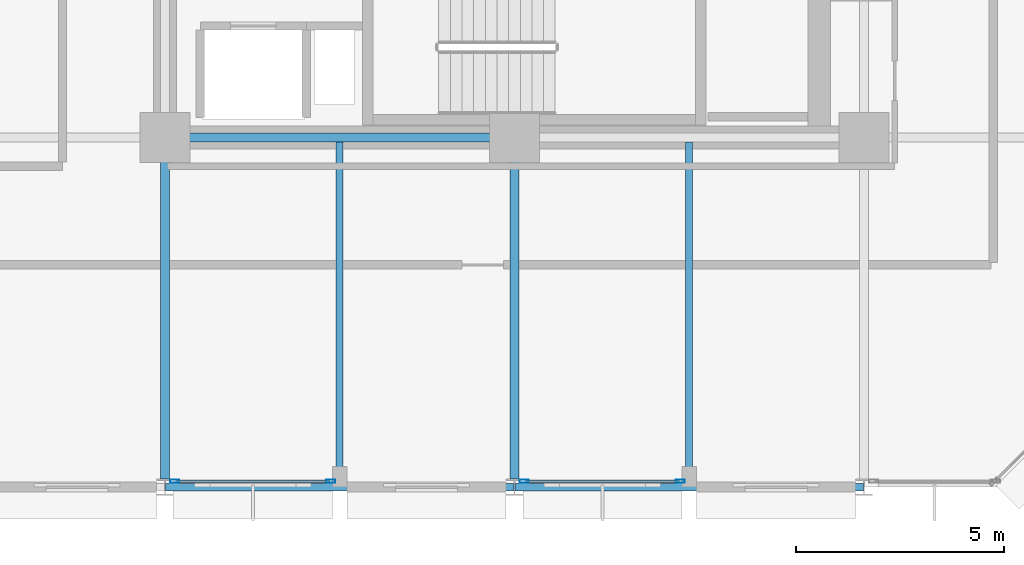
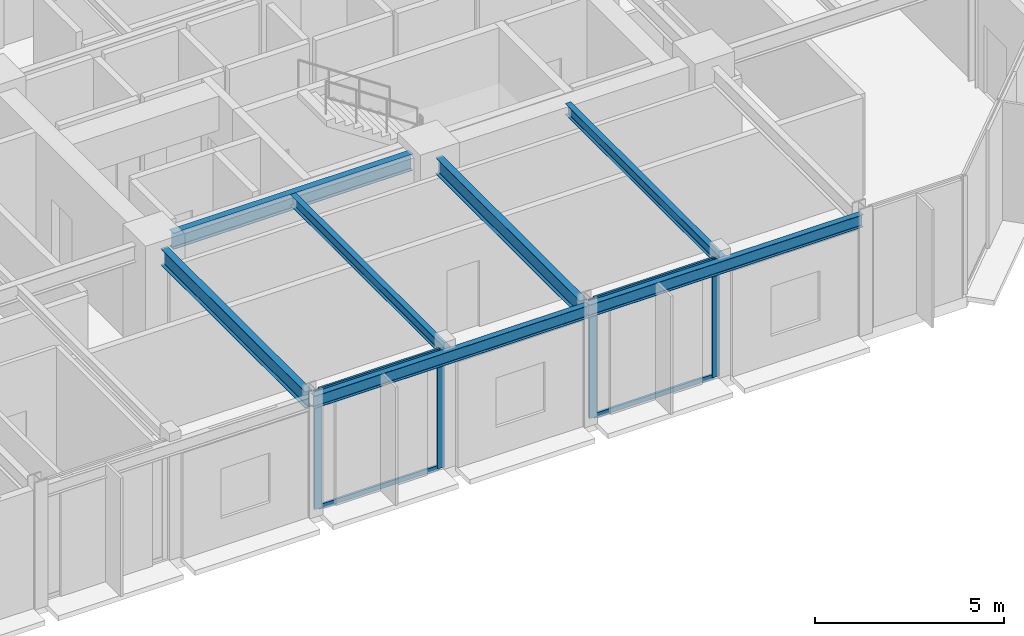
# One storey, part 4 of 25: 8 members, 7 beams, 2 elements without a shape of their own.
"""IFC4 building model written with IfcOpenShell, lengths in metres."""

import ifcopenshell
import ifcopenshell.guid

model = None  # the IFC model being written
_history = None  # IfcOwnerHistory: only IFC2X3 demands one
_inside = {}  # id of a spatial element -> (the spatial element, [elements in it])
_under = {}  # id of a project, library or spatial element -> (it, [spatial elements below it])
_declared = {}  # id of a project -> (the project, [libraries it declares])
_typed = {}  # id of a type object -> (the type object, [elements of that type])
_made_of = {}  # id of a material, layer set ... -> (it, [elements and type objects made of it])


def new_model(schema):
    """Start an empty IFC model of exactly this schema.

    Asked for "IFC4X3", IfcOpenShell would pick the latest addendum, in which some entities
    have other attributes; the version numbers below select the first issue.
    IFC2X3 requires an IfcOwnerHistory on every rooted entity: one is made here for all.
    """
    global model, _history
    if schema == "IFC4X3":
        model = ifcopenshell.file(schema_version=(4, 3, 0, 0))
    else:
        model = ifcopenshell.file(schema=schema)
    _inside.clear()
    _under.clear()
    _declared.clear()
    _typed.clear()
    _made_of.clear()
    _history = None
    if model.schema == "IFC2X3":
        org = make("IfcOrganization", Name="unknown")
        user = make(
            "IfcPersonAndOrganization",
            ThePerson=make("IfcPerson", FamilyName="unknown"),
            TheOrganization=org,
        )
        app = make(
            "IfcApplication",
            ApplicationDeveloper=org,
            Version="unknown",
            ApplicationFullName="unknown",
            ApplicationIdentifier="unknown",
        )
        _history = make(
            "IfcOwnerHistory",
            OwningUser=user,
            OwningApplication=app,
            ChangeAction="ADDED",
            CreationDate=0,
        )
    return model


def make(cls, **values):
    """One entity of the class cls with the attributes given. An attribute that is None is left unset."""
    return model.create_entity(
        cls, **{name: value for name, value in values.items() if value is not None}
    )


def rooted(cls, **values):
    """An entity with a GlobalId (a new one), such as an element, a storey or a relation."""
    return make(cls, GlobalId=ifcopenshell.guid.new(), OwnerHistory=_history, **values)


def si_unit(unit_type, name, prefix=None):
    """IfcSIUnit, for example si_unit("LENGTHUNIT", "METRE", prefix="MILLI")."""
    return make("IfcSIUnit", UnitType=unit_type, Prefix=prefix, Name=name)


def assignment(units):
    """IfcUnitAssignment: the units of a project."""
    return None if units is None else make("IfcUnitAssignment", Units=units)


def point(xyz):
    """IfcCartesianPoint."""
    return None if xyz is None else make("IfcCartesianPoint", Coordinates=xyz)


def direction(xyz):
    """IfcDirection."""
    return None if xyz is None else make("IfcDirection", DirectionRatios=xyz)


def frame(location, z_axis=None, x_axis=None):
    """IfcAxis2Placement3D, a coordinate frame: its origin and axes. An axis left out is left unset."""
    return make(
        "IfcAxis2Placement3D",
        Location=point(location),
        Axis=direction(z_axis),
        RefDirection=direction(x_axis),
    )


def frame_2d(location, x_axis=None):
    """IfcAxis2Placement2D, a coordinate frame in the plane: its origin and x axis."""
    return make(
        "IfcAxis2Placement2D", Location=point(location), RefDirection=direction(x_axis)
    )


def origin():
    """The frame at (0, 0, 0) with its axes left unset."""
    return frame((0.0, 0.0, 0.0))


def origin_2d():
    """The frame at (0, 0) in the plane with its x axis left unset."""
    return frame_2d((0.0, 0.0))


def place(relative_to, where):
    """IfcLocalPlacement: puts the frame where relative to a parent placement (None: the world)."""
    return make(
        "IfcLocalPlacement", PlacementRelTo=relative_to, RelativePlacement=where
    )


def context(
    kind, dimensions, precision=None, world=None, true_north=None, identifier=None
):
    """IfcGeometricRepresentationContext, for example the 3D "Model" context."""
    return make(
        "IfcGeometricRepresentationContext",
        ContextIdentifier=identifier,
        ContextType=kind,
        CoordinateSpaceDimension=dimensions,
        Precision=precision,
        WorldCoordinateSystem=world,
        TrueNorth=true_north,
    )


def subcontext(parent, identifier, kind, view, scale=None):
    """IfcGeometricRepresentationSubContext, for example "Body" below "Model"."""
    return make(
        "IfcGeometricRepresentationSubContext",
        ContextIdentifier=identifier,
        ContextType=kind,
        ParentContext=parent,
        TargetScale=scale,
        TargetView=view,
    )


def project(units=None, contexts=None):
    """IfcProject with its units and contexts."""
    return rooted(
        "IfcProject",
        Name="project",
        RepresentationContexts=contexts,
        UnitsInContext=assignment(units),
    )


def spatial(cls, under=None, at=None, **own):
    """A site, building, storey or space (cls), placed at a placement, below another one or the project."""
    s = rooted(cls, ObjectPlacement=at, **own)
    if under is not None:
        _under.setdefault(under.id(), (under, []))[1].append(s)
    return s


def profile(cls, at=None, kind="AREA", **sizes):
    """A parametric profile (cls). Its sizes go by their IFC names, for example OverallWidth=200.0."""
    return make(cls, ProfileType=kind, Position=at, **sizes)


def hollow_rectangle(**sizes):
    """IfcRectangleHollowProfileDef."""
    return profile("IfcRectangleHollowProfileDef", **sizes)


def i_section(**sizes):
    """IfcIShapeProfileDef."""
    return profile("IfcIShapeProfileDef", **sizes)


def extrude(swept, where, along, depth):
    """IfcExtrudedAreaSolid: the profile swept, set in the frame where, extruded along a direction by depth."""
    return make(
        "IfcExtrudedAreaSolid",
        SweptArea=swept,
        Position=where,
        ExtrudedDirection=direction(along),
        Depth=depth,
    )


def shape(context_of_items, identifier, shape_type, items):
    """IfcShapeRepresentation: the items that make up one representation, for example the "Body"."""
    return make(
        "IfcShapeRepresentation",
        ContextOfItems=context_of_items,
        RepresentationIdentifier=identifier,
        RepresentationType=shape_type,
        Items=items,
    )


def material(Name=None, Category=None):
    """IfcMaterial."""
    return make("IfcMaterial", Name=Name, Category=Category)


def layer(
    of_material, thickness, ventilated=None, Name=None, Category=None, Priority=None
):
    """IfcMaterialLayer: one layer of a wall or slab, of a material (None: an air gap)."""
    return make(
        "IfcMaterialLayer",
        Material=of_material,
        LayerThickness=thickness,
        IsVentilated=ventilated,
        Name=Name,
        Category=Category,
        Priority=Priority,
    )


def layer_set(layers, Name=None):
    """IfcMaterialLayerSet."""
    return make("IfcMaterialLayerSet", MaterialLayers=layers, LayerSetName=Name)


def material_profile(
    of_material, cross_section, Name=None, Category=None, Priority=None
):
    """IfcMaterialProfile: a cross section and its material."""
    return make(
        "IfcMaterialProfile",
        Name=Name,
        Material=of_material,
        Profile=cross_section,
        Priority=Priority,
        Category=Category,
    )


def profile_set(profiles, Name=None, composite=None):
    """IfcMaterialProfileSet."""
    return make(
        "IfcMaterialProfileSet",
        Name=Name,
        MaterialProfiles=profiles,
        CompositeProfile=composite,
    )


def made_of(thing, what):
    """Note that an element or type object is made of a material, layer set ...; save() writes the relation."""
    if what is not None:
        _made_of.setdefault(what.id(), (what, []))[1].append(thing)
    return thing


def type_object(cls, material=None, **own):
    """A type object (cls), such as IfcWallType, which elements share."""
    return made_of(rooted(cls, **own), material)


def element(
    cls,
    number,
    at=None,
    inside=None,
    cuts=None,
    type_object=None,
    material=None,
    context=None,
    identifier="Body",
    shape_type=None,
    held_by="IfcProductDefinitionShape",
    body=None,
    shapes=None,
    **own,
):
    """One element of the class cls, such as IfcWall. Its Tag is "e" and its number.

    at: its placement. inside: the storey or other place that contains it. cuts: it is an
    opening in that element (IfcRelVoidsElement). A single representation is given by context,
    identifier, shape_type and body (its items); several are given by shapes. held_by: the class
    of the entity that holds the representations. save() writes the other relations.
    """
    e = rooted(cls, Tag="e%d" % number, ObjectPlacement=at, **own)
    if body is not None:
        shapes = [shape(context, identifier, shape_type, body)]
    if shapes is not None:
        e.Representation = make(held_by, Representations=shapes)
    if inside is not None:
        _inside.setdefault(inside.id(), (inside, []))[1].append(e)
    if cuts is not None:
        rooted(
            "IfcRelVoidsElement", RelatingBuildingElement=cuts, RelatedOpeningElement=e
        )
    if type_object is not None:
        _typed.setdefault(type_object.id(), (type_object, []))[1].append(e)
    return made_of(e, material)


def aggregate(whole, parts):
    """IfcRelAggregates: a whole, such as a stair, and the parts it consists of."""
    return rooted("IfcRelAggregates", RelatingObject=whole, RelatedObjects=parts)


def save(model, path):
    """Write the relations noted so far, then the file.

    IfcRelAggregates (storeys below a building ...), IfcRelContainedInSpatialStructure (elements
    in a storey), IfcRelDefinesByType, IfcRelAssociatesMaterial and IfcRelDeclares: one each for
    every whole, place, type object, material and project.
    """
    for whole, parts in _under.values():
        aggregate(whole, parts)
    for where, things in _inside.values():
        rooted(
            "IfcRelContainedInSpatialStructure",
            RelatedElements=things,
            RelatingStructure=where,
        )
    for kind, things in _typed.values():
        rooted("IfcRelDefinesByType", RelatedObjects=things, RelatingType=kind)
    for what, things in _made_of.values():
        rooted("IfcRelAssociatesMaterial", RelatedObjects=things, RelatingMaterial=what)
    for by, libraries in _declared.values():
        rooted("IfcRelDeclares", RelatingContext=by, RelatedDefinitions=libraries)
    model.write(path)


model = new_model("IFC4")

# Units and contexts
model_context = context("Model", 3, precision=1e-05, world=origin(), true_north=direction((0.0, 1.0)))
body_context = subcontext(model_context, "Body", "Model", "MODEL_VIEW")
ifc_project = project(units=[si_unit("LENGTHUNIT", "METRE"), si_unit("AREAUNIT", "SQUARE_METRE"), si_unit("VOLUMEUNIT", "CUBIC_METRE"), si_unit("PLANEANGLEUNIT", "RADIAN"), si_unit("MASSUNIT", "GRAM", prefix="KILO")], contexts=[model_context])

# Site, building, storey
site_placement = place(None, origin())
site = spatial("IfcSite", under=ifc_project, at=site_placement, CompositionType="ELEMENT")
building_placement = place(site_placement, origin())
building = spatial("IfcBuilding", under=site, at=building_placement, Name="Nerrivon Quay Data Exchange", CompositionType="ELEMENT")
storey_placement = place(building_placement, frame((0.0, 0.0, 113.10009765625)))
storey = spatial("IfcBuildingStorey", under=building, at=storey_placement, Name="L26", CompositionType="ELEMENT", Elevation=113.10009765625)

# Beams
ifc_material_1 = material(Name="Steel Grade 350", Category="steel")
ifc_material_profile_1 = material_profile(ifc_material_1, i_section(OverallWidth=0.208984375, OverallDepth=0.532958984375, WebThickness=0.01025390625, FlangeThickness=0.015625, FilletRadius=0.013916015625, at=origin_2d()), Name="530UB92.4")
ifc_profile_set_1 = profile_set([ifc_material_profile_1], Name="Steel Grade 350")
beam_type_1 = type_object("IfcBeamType", Name="BM-G3-530UB92", PredefinedType="BEAM", material=ifc_profile_set_1)
beam_placement = place(storey_placement, frame((17.340087890625, 8.39990234375, 3.558349609375), z_axis=(1.0, 0.0, 0.0), x_axis=(0.0, 1.0, 0.0)))
element("IfcBeam", 1, at=beam_placement, inside=storey, type_object=beam_type_1, Name="L26 EW Girder Y=8.4 (16.8..25.2)", PredefinedType="BEAM", context=body_context, shape_type="SweptSolid", body=[
    extrude(i_section(OverallWidth=0.208984375, OverallDepth=0.532958984375, WebThickness=0.01025390625, FlangeThickness=0.015625, FilletRadius=0.013916015625, at=origin_2d()), origin(), (0.0, 0.0, 1.0), 7.31982421875),
])
ifc_material_profile_2 = material_profile(ifc_material_1, i_section(OverallWidth=0.208984375, OverallDepth=0.528076171875, WebThickness=0.009521484375, FlangeThickness=0.01318359375, FilletRadius=0.013916015625, at=origin_2d()), Name="530UB82.0")
ifc_profile_set_2 = profile_set([ifc_material_profile_2], Name="Steel Grade 350")
beam_type_2 = type_object("IfcBeamType", Name="BM-G4-530UB82", PredefinedType="BEAM", material=ifc_profile_set_2)
for number, where, z_axis, x_axis, name in (
    (2, (16.800048828125, 0.199951171875, 3.560791015625), (0.0, 1.0, 0.0), (-1.0, 0.0, 0.0), "L26 NS Girder X=16.8 (0.0..8.4)"),
    (3, (25.199951171875, 0.199951171875, 3.560791015625), (0.0, 1.0, 0.0), (-1.0, 0.0, 0.0), "L26 NS Girder X=25.2 (0.0..8.4)"),
):
    element("IfcBeam", number, at=place(storey_placement, frame(where, z_axis=z_axis, x_axis=x_axis)), inside=storey, type_object=beam_type_2, Name=name, PredefinedType="BEAM", context=body_context, shape_type="SweptSolid", body=[
        extrude(i_section(OverallWidth=0.208984375, OverallDepth=0.528076171875, WebThickness=0.009521484375, FlangeThickness=0.01318359375, FilletRadius=0.013916015625, at=origin_2d()), origin(), (0.0, 0.0, 1.0), 7.66015625),
    ])
ifc_material_profile_3 = material_profile(ifc_material_1, i_section(OverallWidth=0.1708984375, OverallDepth=0.35595703125, WebThickness=0.00732421875, FlangeThickness=0.011474609375, FilletRadius=0.011474609375, at=origin_2d()), Name="360UB50.7")
ifc_profile_set_3 = profile_set([ifc_material_profile_3], Name="Steel Grade 350")
beam_type_3 = type_object("IfcBeamType", Name="BM-J4-360UB51", PredefinedType="JOIST", material=ifc_profile_set_3)
for number, where, z_axis, x_axis, name in (
    (4, (21.0, 0.089111328125, 3.64697265625), (0.0, 1.0, 0.0), (-1.0, 0.0, 0.0), "L26 Secondary Joist X=21.0 (0.0..8.4)"),
    (5, (29.39990234375, 0.089111328125, 3.64697265625), (0.0, 1.0, 0.0), (-1.0, 0.0, 0.0), "L26 Secondary Joist X=29.4 (0.0..8.4)"),
):
    element("IfcBeam", number, at=place(storey_placement, frame(where, z_axis=z_axis, x_axis=x_axis)), inside=storey, type_object=beam_type_3, Name=name, PredefinedType="JOIST", context=body_context, shape_type="SweptSolid", body=[
        extrude(i_section(OverallWidth=0.1708984375, OverallDepth=0.35595703125, WebThickness=0.00732421875, FlangeThickness=0.011474609375, FilletRadius=0.011474609375, at=origin_2d()), origin(), (0.0, 0.0, 1.0), 8.206298828125),
    ])
ifc_material_profile_4 = material_profile(ifc_material_1, i_section(OverallWidth=0.177978515625, OverallDepth=0.403076171875, WebThickness=0.007568359375, FlangeThickness=0.010986328125, FilletRadius=0.011474609375, at=origin_2d()), Name="410UB53.7")
ifc_profile_set_4 = profile_set([ifc_material_profile_4], Name="Steel Grade 350")
beam_type_4 = type_object("IfcBeamType", Name="BM-SP2-410UB54", PredefinedType="SPANDREL", material=ifc_profile_set_4)
for number, where, z_axis, x_axis, name in (
    (6, (16.8125, 0.0, 3.623291015625), (1.0, 0.0, 0.0), (0.0, 1.0, 0.0), "L26 EW Girder Y=0.0 (16.8..25.2)"),
    (7, (25.21240234375, 0.0, 3.623291015625), (1.0, 0.0, 0.0), (0.0, 1.0, 0.0), "L26 EW Girder Y=0.0 (25.2..33.6)"),
):
    element("IfcBeam", number, at=place(storey_placement, frame(where, z_axis=z_axis, x_axis=x_axis)), inside=storey, type_object=beam_type_4, Name=name, PredefinedType="SPANDREL", context=body_context, shape_type="SweptSolid", body=[
        extrude(i_section(OverallWidth=0.177978515625, OverallDepth=0.403076171875, WebThickness=0.007568359375, FlangeThickness=0.010986328125, FilletRadius=0.011474609375, at=origin_2d()), origin(), (0.0, 0.0, 1.0), 8.375),
    ])

# Curtain wall, members
ifc_material_2 = material(Name="Anodised aluminium 6063-T6", Category="aluminium")
ifc_layer = layer(ifc_material_2, 0.22998046875)
ifc_layer_set = layer_set([ifc_layer], Name="Anodised aluminium 6063-T6")
curtain_wall_type = type_object("IfcCurtainWallType", Name="CW-SYS-05", PredefinedType="NOTDEFINED", material=ifc_layer_set)
curtain_wall_1_placement = place(storey_placement, origin())
curtain_wall_1 = element("IfcCurtainWall", 8, at=curtain_wall_1_placement, inside=storey, type_object=curtain_wall_type, Name="L26 Unitised Curtain Wall 4", PredefinedType="NOTDEFINED")
ifc_material_profile_5 = material_profile(ifc_material_2, hollow_rectangle(XDim=0.074951171875, YDim=0.219970703125, WallThickness=0.00390625, at=origin_2d()), Name="ALU-MULL-220x75")
ifc_profile_set_5 = profile_set([ifc_material_profile_5], Name="Anodised aluminium 6063-T6")
member_type_1 = type_object("IfcMemberType", Name="CWM-220x75", PredefinedType="MULLION", material=ifc_profile_set_5)
member_1_placement = place(storey_placement, frame((29.1875, 0.139892578125, 0.0), z_axis=(0.0, 0.0, 1.0), x_axis=(0.0, -1.0, 0.0)))
member_1 = element("IfcMember", 9, at=member_1_placement, type_object=member_type_1, Name="CW05 mullion 1", PredefinedType="MULLION", context=body_context, shape_type="SweptSolid", body=[
    extrude(hollow_rectangle(XDim=0.074951171875, YDim=0.219970703125, WallThickness=0.00390625, at=origin_2d()), origin(), (0.0, 0.0, 1.0), 3.824951171875),
])
member_2_placement = place(storey_placement, frame((25.4375, 0.139892578125, 0.0), z_axis=(0.0, 0.0, 1.0), x_axis=(0.0, -1.0, 0.0)))
member_2 = element("IfcMember", 10, at=member_2_placement, type_object=member_type_1, Name="CW05 mullion 2", PredefinedType="MULLION", context=body_context, shape_type="SweptSolid", body=[
    extrude(hollow_rectangle(XDim=0.074951171875, YDim=0.219970703125, WallThickness=0.00390625, at=origin_2d()), origin(), (0.0, 0.0, 1.0), 3.824951171875),
])

curtain_wall_2_placement = place(storey_placement, origin())
curtain_wall_2 = element("IfcCurtainWall", 11, at=curtain_wall_2_placement, inside=storey, type_object=curtain_wall_type, Name="L26 Unitised Curtain Wall 6", PredefinedType="NOTDEFINED")
member_3_placement = place(storey_placement, frame((20.78759765625, 0.139892578125, 0.0), z_axis=(0.0, 0.0, 1.0), x_axis=(0.0, -1.0, 0.0)))
member_3 = element("IfcMember", 12, at=member_3_placement, type_object=member_type_1, Name="CW05 mullion 1", PredefinedType="MULLION", context=body_context, shape_type="SweptSolid", body=[
    extrude(hollow_rectangle(XDim=0.074951171875, YDim=0.219970703125, WallThickness=0.00390625, at=origin_2d()), origin(), (0.0, 0.0, 1.0), 3.824951171875),
])
member_4_placement = place(storey_placement, frame((17.03759765625, 0.139892578125, 0.0), z_axis=(0.0, 0.0, 1.0), x_axis=(0.0, -1.0, 0.0)))
member_4 = element("IfcMember", 13, at=member_4_placement, type_object=member_type_1, Name="CW05 mullion 2", PredefinedType="MULLION", context=body_context, shape_type="SweptSolid", body=[
    extrude(hollow_rectangle(XDim=0.074951171875, YDim=0.219970703125, WallThickness=0.00390625, at=origin_2d()), origin(), (0.0, 0.0, 1.0), 3.824951171875),
])

# Member
ifc_material_profile_6 = material_profile(ifc_material_2, hollow_rectangle(XDim=0.06494140625, YDim=0.14990234375, WallThickness=0.00341796875, at=origin_2d()), Name="ALU-TRAN-150x65")
ifc_profile_set_6 = profile_set([ifc_material_profile_6], Name="Anodised aluminium 6063-T6")
member_type_2 = type_object("IfcMemberType", Name="CWT-150x65", PredefinedType="USERDEFINED", material=ifc_profile_set_6)
member_5_placement = place(storey_placement, frame((29.14990234375, 0.139892578125, 0.032470703125), z_axis=(-1.0, 0.0, 0.0), x_axis=(0.0, -1.0, 0.0)))
member_5 = element("IfcMember", 14, at=member_5_placement, type_object=member_type_2, Name="CW05 transom 1.1", ObjectType="TRANSOM", PredefinedType="USERDEFINED", context=body_context, shape_type="SweptSolid", body=[
    extrude(hollow_rectangle(XDim=0.06494140625, YDim=0.14990234375, WallThickness=0.00341796875, at=origin_2d()), origin(), (0.0, 0.0, 1.0), 3.6748046875),
])

member_6_placement = place(storey_placement, frame((29.14990234375, 0.139892578125, 3.79248046875), z_axis=(-1.0, 0.0, 0.0), x_axis=(0.0, -1.0, 0.0)))
member_6 = element("IfcMember", 15, at=member_6_placement, type_object=member_type_2, Name="CW05 transom 1.2", ObjectType="TRANSOM", PredefinedType="USERDEFINED", context=body_context, shape_type="SweptSolid", body=[
    extrude(hollow_rectangle(XDim=0.06494140625, YDim=0.14990234375, WallThickness=0.00341796875, at=origin_2d()), origin(), (0.0, 0.0, 1.0), 3.6748046875),
])

aggregate(curtain_wall_1, [member_1, member_2, member_5, member_6])

member_7_placement = place(storey_placement, frame((20.75, 0.139892578125, 0.032470703125), z_axis=(-1.0, 0.0, 0.0), x_axis=(0.0, -1.0, 0.0)))
member_7 = element("IfcMember", 16, at=member_7_placement, type_object=member_type_2, Name="CW05 transom 1.1", ObjectType="TRANSOM", PredefinedType="USERDEFINED", context=body_context, shape_type="SweptSolid", body=[
    extrude(hollow_rectangle(XDim=0.06494140625, YDim=0.14990234375, WallThickness=0.00341796875, at=origin_2d()), origin(), (0.0, 0.0, 1.0), 3.675048828125),
])

member_8_placement = place(storey_placement, frame((20.75, 0.139892578125, 3.79248046875), z_axis=(-1.0, 0.0, 0.0), x_axis=(0.0, -1.0, 0.0)))
member_8 = element("IfcMember", 17, at=member_8_placement, type_object=member_type_2, Name="CW05 transom 1.2", ObjectType="TRANSOM", PredefinedType="USERDEFINED", context=body_context, shape_type="SweptSolid", body=[
    extrude(hollow_rectangle(XDim=0.06494140625, YDim=0.14990234375, WallThickness=0.00341796875, at=origin_2d()), origin(), (0.0, 0.0, 1.0), 3.675048828125),
])

aggregate(curtain_wall_2, [member_3, member_4, member_7, member_8])

save(model, "model.ifc")
